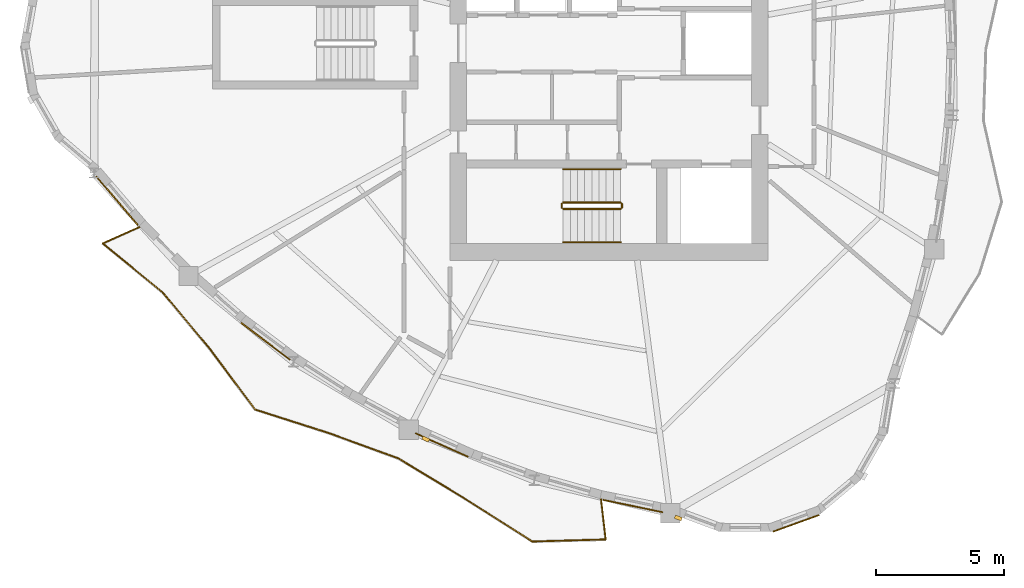
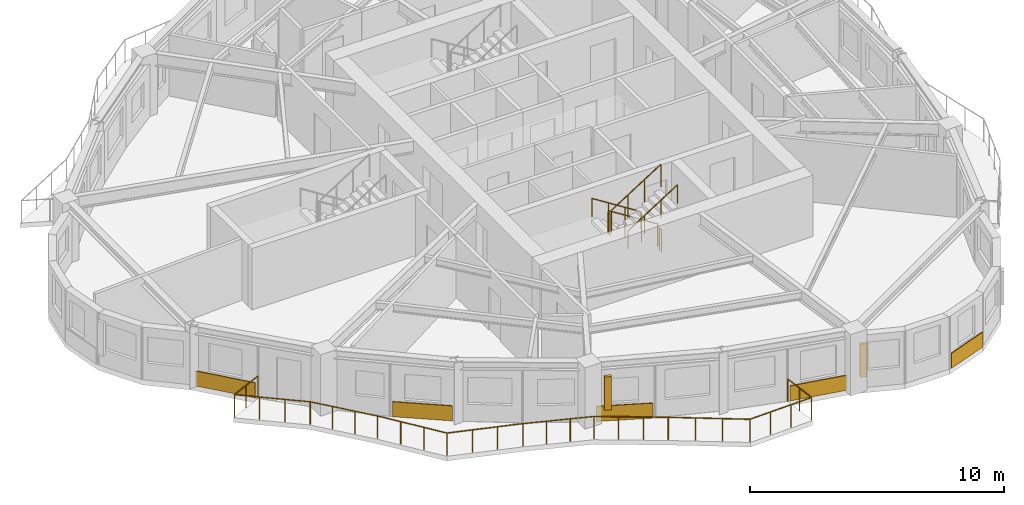
# One storey, part 9 of 12: 7 railings, 5 coverings, 2 shading devices.
"""IFC4 building model written with IfcOpenShell, lengths in metres."""

from ifc_helpers import new_model, si_unit, direction, frame, origin, origin_2d, place, context, subcontext, project, spatial, rectangle, circle, extrude, source, transform, mapped, material, layer, layer_set, type_object, element, save


model = new_model("IFC4")

# Units and contexts
model_context = context("Model", 3, precision=1e-05, world=origin(), true_north=direction((0.0, 1.0)))
body_context = subcontext(model_context, "Body", "Model", "MODEL_VIEW")
ifc_project = project(units=[si_unit("LENGTHUNIT", "METRE"), si_unit("AREAUNIT", "SQUARE_METRE"), si_unit("VOLUMEUNIT", "CUBIC_METRE"), si_unit("PLANEANGLEUNIT", "RADIAN"), si_unit("MASSUNIT", "GRAM", prefix="KILO")], contexts=[model_context])

# Site, building, storey
site_placement = place(None, origin())
site = spatial("IfcSite", under=ifc_project, at=site_placement, CompositionType="ELEMENT")
building_placement = place(site_placement, origin())
building = spatial("IfcBuilding", under=site, at=building_placement, Name="Qafzar Sky-Pleat Residences", CompositionType="ELEMENT")
storey_placement = place(building_placement, frame((0.0, 0.0, 181.0)))
storey = spatial("IfcBuildingStorey", under=building, at=storey_placement, Name="L54", CompositionType="ELEMENT", Elevation=181.0)

# Shading devices
ifc_material_1 = material(Name="Honed Riyadh limestone solar fin", Category="masonry")
ifc_layer_1 = layer(ifc_material_1, 0.139892578125)
ifc_layer_set_1 = layer_set([ifc_layer_1], Name="Honed Riyadh limestone solar fin")
shading_device_type = type_object("IfcShadingDeviceType", Name="SHD-FIN-STONE", PredefinedType="SHUTTER", material=ifc_layer_set_1)
shared_shape_1 = source(origin(), body_context, "Body", "SweptSolid", [
    extrude(rectangle(XDim=0.139892578125, YDim=0.280029296875, at=origin_2d()), origin(), (0.0, 0.0, 1.0), 1.60009765625),
])
for number, where, z_axis, x_axis, name in (
    (1, (23.208984375, 10.585693359375, 0.599853515625), (0.0, 0.0, 1.0), (-0.40756683729, -0.91317537918, 0.0), "L54 Limestone Solar Fin 13"),
    (2, (33.046630859375, 7.512451171875, 0.599853515625), (0.0, 0.0, 1.0), (-0.349602764616, -0.936898023785, 0.0), "L54 Limestone Solar Fin 17"),
):
    element("IfcShadingDevice", number, at=place(storey_placement, frame(where, z_axis=z_axis, x_axis=x_axis)), inside=storey, type_object=shading_device_type, Name=name, PredefinedType="SHUTTER", context=body_context, shape_type="MappedRepresentation", body=[
        mapped(shared_shape_1, transform((0.0, 0.0, 0.0), x_axis=(1.0, 0.0, 0.0), y_axis=(0.0, 1.0, 0.0), z_axis=(0.0, 0.0, 1.0), scale=1.0)),
    ])

# Covering
ifc_material_2 = material(Name="Honed Riyadh Tuwaiq limestone cladding", Category="masonry")
ifc_layer_2 = layer(ifc_material_2, 0.044921875)
ifc_layer_set_2 = layer_set([ifc_layer_2], Name="Honed Riyadh Tuwaiq limestone cladding")
covering_type = type_object("IfcCoveringType", Name="COV-CLAD-STONE", PredefinedType="CLADDING", material=ifc_layer_set_2)
shared_shape_2 = source(origin(), body_context, "Body", "SweptSolid", [
    extrude(rectangle(XDim=1.89794921875, YDim=0.044921875, at=origin_2d()), origin(), (0.0, 0.0, 1.0), 0.719970703125),
])
covering_1_placement = place(storey_placement, frame((37.634521484375, 7.30322265625, 0.02001953125), z_axis=(0.0, 0.0, 1.0), x_axis=(0.940231559433, 0.340535775867, 0.0)))
element("IfcCovering", 3, at=covering_1_placement, inside=storey, type_object=covering_type, Name="L54 Riyadh Limestone Spandrel Cladding 19", PredefinedType="CLADDING", context=body_context, shape_type="MappedRepresentation", body=[
    mapped(shared_shape_2, transform((0.0, 0.0, 0.0), x_axis=(1.0, 0.0, 0.0), y_axis=(0.0, 1.0, 0.0), z_axis=(0.0, 0.0, 1.0), scale=1.0)),
])

# Railing
ifc_material_3 = material(Name="Laminated glass and bronze steel balustrade", Category="steel")
railing_type_1 = type_object("IfcRailingType", Name="RAIL-BAL-1100", PredefinedType="BALUSTRADE", material=ifc_material_3)
shared_shape_3 = source(origin(), body_context, "Body", "SweptSolid", [
    extrude(circle(Radius=0.02392578125, at=origin_2d()), frame((0.0, 0.0, 1.076171875), z_axis=(-0.912389818341, -0.409322390527, 0.0), x_axis=(0.409322390527, -0.912389818341, 0.0)), (0.0, 0.0, 1.0), 1.578125),
    extrude(circle(Radius=0.02392578125, at=origin_2d()), frame((-1.43994140625, -0.64599609375, 1.076171875), z_axis=(0.774025555927, -0.633154356197, 0.0), x_axis=(0.633154356197, 0.774025555927, 0.0)), (0.0, 0.0, 1.0), 3.027587890625),
    extrude(circle(Radius=0.02392578125, at=origin_2d()), frame((0.903564453125, -2.56298828125, 1.076171875), z_axis=(0.640617922231, -0.767859803425, 0.0), x_axis=(0.767859803425, 0.640617922231, 0.0)), (0.0, 0.0, 1.0), 2.824462890625),
    extrude(circle(Radius=0.02392578125, at=origin_2d()), frame((2.712890625, -4.731689453125, 1.076171875), z_axis=(0.598725460263, -0.800954320316, 0.0), x_axis=(0.800954320316, 0.598725460263, 0.0)), (0.0, 0.0, 1.0), 2.974609375),
    extrude(circle(Radius=0.02392578125, at=origin_2d()), frame((4.493896484375, -7.1142578125, 1.076171875), z_axis=(0.952331377345, -0.305065481045, 0.0), x_axis=(0.305065481045, 0.952331377345, 0.0)), (0.0, 0.0, 1.0), 3.05712890625),
    extrude(circle(Radius=0.02392578125, at=origin_2d()), frame((7.4052734375, -8.046875, 1.076171875), z_axis=(0.939564713484, -0.342371361499, 0.0), x_axis=(0.342371361499, 0.939564713484, 0.0)), (0.0, 0.0, 1.0), 2.8388671875),
    extrude(circle(Radius=0.02392578125, at=origin_2d()), frame((10.072509765625, -9.018798828125, 1.076171875), z_axis=(0.856053996545, -0.516886404347, 0.0), x_axis=(0.516886404347, 0.856053996545, 0.0)), (0.0, 0.0, 1.0), 2.926025390625),
    extrude(circle(Radius=0.02392578125, at=origin_2d()), frame((12.577392578125, -10.53125, 1.076171875), z_axis=(0.84387400344, -0.536541392921, 0.0), x_axis=(0.536541392921, 0.84387400344, 0.0)), (0.0, 0.0, 1.0), 3.215576171875),
    extrude(circle(Radius=0.02392578125, at=origin_2d()), frame((15.291015625, -12.256591796875, 1.076171875), z_axis=(0.99959777978, 0.028359807117, 0.0), x_axis=(-0.028359807117, 0.99959777978, 0.0)), (0.0, 0.0, 1.0), 2.858154296875),
    extrude(circle(Radius=0.02392578125, at=origin_2d()), frame((18.14794921875, -12.175537109375, 1.076171875), z_axis=(-0.114030944588, 0.993477198368, 0.0), x_axis=(-0.993477198368, -0.114030944588, 0.0)), (0.0, 0.0, 1.0), 1.577880859375),
    extrude(circle(Radius=0.02099609375, at=origin_2d()), origin(), (0.0, 0.0, 1.0), 1.052001953125),
    extrude(circle(Radius=0.02099609375, at=origin_2d()), frame((-0.719970703125, -0.322998046875, 0.0)), (0.0, 0.0, 1.0), 1.052001953125),
    extrude(circle(Radius=0.02099609375, at=origin_2d()), frame((-1.43994140625, -0.64599609375, 0.0)), (0.0, 0.0, 1.0), 1.052001953125),
    extrude(circle(Radius=0.02099609375, at=origin_2d()), frame((-0.65869140625, -1.284912109375, 0.0)), (0.0, 0.0, 1.0), 1.052001953125),
    extrude(circle(Radius=0.02099609375, at=origin_2d()), frame((0.122314453125, -1.924072265625, 0.0)), (0.0, 0.0, 1.0), 1.052001953125),
    extrude(circle(Radius=0.02099609375, at=origin_2d()), frame((0.903564453125, -2.56298828125, 0.0)), (0.0, 0.0, 1.0), 1.052001953125),
    extrude(circle(Radius=0.02099609375, at=origin_2d()), frame((1.506591796875, -3.285888671875, 0.0)), (0.0, 0.0, 1.0), 1.052001953125),
    extrude(circle(Radius=0.02099609375, at=origin_2d()), frame((2.10986328125, -4.0087890625, 0.0)), (0.0, 0.0, 1.0), 1.052001953125),
    extrude(circle(Radius=0.02099609375, at=origin_2d()), frame((2.712890625, -4.731689453125, 0.0)), (0.0, 0.0, 1.0), 1.052001953125),
    extrude(circle(Radius=0.02099609375, at=origin_2d()), frame((3.306640625, -5.52587890625, 0.0)), (0.0, 0.0, 1.0), 1.052001953125),
    extrude(circle(Radius=0.02099609375, at=origin_2d()), frame((3.900146484375, -6.320068359375, 0.0)), (0.0, 0.0, 1.0), 1.052001953125),
    extrude(circle(Radius=0.02099609375, at=origin_2d()), frame((4.493896484375, -7.1142578125, 0.0)), (0.0, 0.0, 1.0), 1.052001953125),
    extrude(circle(Radius=0.02099609375, at=origin_2d()), frame((5.46435546875, -7.425048828125, 0.0)), (0.0, 0.0, 1.0), 1.052001953125),
    extrude(circle(Radius=0.02099609375, at=origin_2d()), frame((6.434814453125, -7.736083984375, 0.0)), (0.0, 0.0, 1.0), 1.052001953125),
    extrude(circle(Radius=0.02099609375, at=origin_2d()), frame((7.4052734375, -8.046875, 0.0)), (0.0, 0.0, 1.0), 1.052001953125),
    extrude(circle(Radius=0.02099609375, at=origin_2d()), frame((8.29443359375, -8.370849609375, 0.0)), (0.0, 0.0, 1.0), 1.052001953125),
    extrude(circle(Radius=0.02099609375, at=origin_2d()), frame((9.183349609375, -8.69482421875, 0.0)), (0.0, 0.0, 1.0), 1.052001953125),
    extrude(circle(Radius=0.02099609375, at=origin_2d()), frame((10.072509765625, -9.018798828125, 0.0)), (0.0, 0.0, 1.0), 1.052001953125),
    extrude(circle(Radius=0.02099609375, at=origin_2d()), frame((10.907470703125, -9.52294921875, 0.0)), (0.0, 0.0, 1.0), 1.052001953125),
    extrude(circle(Radius=0.02099609375, at=origin_2d()), frame((11.742431640625, -10.027099609375, 0.0)), (0.0, 0.0, 1.0), 1.052001953125),
    extrude(circle(Radius=0.02099609375, at=origin_2d()), frame((12.577392578125, -10.53125, 0.0)), (0.0, 0.0, 1.0), 1.052001953125),
    extrude(circle(Radius=0.02099609375, at=origin_2d()), frame((13.48193359375, -11.1064453125, 0.0)), (0.0, 0.0, 1.0), 1.052001953125),
    extrude(circle(Radius=0.02099609375, at=origin_2d()), frame((14.386474609375, -11.681396484375, 0.0)), (0.0, 0.0, 1.0), 1.052001953125),
    extrude(circle(Radius=0.02099609375, at=origin_2d()), frame((15.291015625, -12.256591796875, 0.0)), (0.0, 0.0, 1.0), 1.052001953125),
    extrude(circle(Radius=0.02099609375, at=origin_2d()), frame((16.243408203125, -12.2294921875, 0.0)), (0.0, 0.0, 1.0), 1.052001953125),
    extrude(circle(Radius=0.02099609375, at=origin_2d()), frame((17.195556640625, -12.20263671875, 0.0)), (0.0, 0.0, 1.0), 1.052001953125),
    extrude(circle(Radius=0.02099609375, at=origin_2d()), frame((18.14794921875, -12.175537109375, 0.0)), (0.0, 0.0, 1.0), 1.052001953125),
    extrude(circle(Radius=0.02099609375, at=origin_2d()), frame((18.05810546875, -11.3916015625, 0.0)), (0.0, 0.0, 1.0), 1.052001953125),
    extrude(circle(Radius=0.02099609375, at=origin_2d()), frame((17.968017578125, -10.60791015625, 0.0)), (0.0, 0.0, 1.0), 1.052001953125),
])
railing_1_placement = place(storey_placement, frame((12.06982421875, 18.851806640625, 0.0)))
element("IfcRailing", 4, at=railing_1_placement, inside=storey, type_object=railing_type_1, Name="L54 Pleated Balcony 3 Balustrade", PredefinedType="BALUSTRADE", context=body_context, shape_type="MappedRepresentation", body=[
    mapped(shared_shape_3, transform((0.0, 0.0, 0.0), x_axis=(1.0, 0.0, 0.0), y_axis=(0.0, 1.0, 0.0), z_axis=(0.0, 0.0, 1.0), scale=1.0)),
])

# Coverings
shared_shape_4 = source(origin(), body_context, "Body", "SweptSolid", [
    extrude(rectangle(XDim=2.49560546875, YDim=0.044921875, at=origin_2d()), origin(), (0.0, 0.0, 1.0), 0.719970703125),
])
covering_2_placement = place(storey_placement, frame((11.187255859375, 19.866943359375, 0.02001953125), z_axis=(0.0, 0.0, 1.0), x_axis=(0.650274414602, -0.75969940484, 0.0)))
element("IfcCovering", 5, at=covering_2_placement, inside=storey, type_object=covering_type, Name="L54 Riyadh Limestone Spandrel Cladding 7", PredefinedType="CLADDING", context=body_context, shape_type="MappedRepresentation", body=[
    mapped(shared_shape_4, transform((0.0, 0.0, 0.0), x_axis=(1.0, 0.0, 0.0), y_axis=(0.0, 1.0, 0.0), z_axis=(0.0, 0.0, 1.0), scale=1.0)),
])
shared_shape_5 = source(origin(), body_context, "Body", "SweptSolid", [
    extrude(rectangle(XDim=2.377197265625, YDim=0.044921875, at=origin_2d()), origin(), (0.0, 0.0, 1.0), 0.719970703125),
])
covering_3_placement = place(storey_placement, frame((16.9755859375, 14.392578125, 0.02001953125), z_axis=(0.0, 0.0, 1.0), x_axis=(0.797987489772, -0.602674013184, 0.0)))
element("IfcCovering", 6, at=covering_3_placement, inside=storey, type_object=covering_type, Name="L54 Riyadh Limestone Spandrel Cladding 10", PredefinedType="CLADDING", context=body_context, shape_type="MappedRepresentation", body=[
    mapped(shared_shape_5, transform((0.0, 0.0, 0.0), x_axis=(1.0, 0.0, 0.0), y_axis=(0.0, 1.0, 0.0), z_axis=(0.0, 0.0, 1.0), scale=1.0)),
])
shared_shape_6 = source(origin(), body_context, "Body", "SweptSolid", [
    extrude(rectangle(XDim=2.24658203125, YDim=0.044921875, at=origin_2d()), origin(), (0.0, 0.0, 1.0), 0.719970703125),
])
covering_4_placement = place(storey_placement, frame((23.8291015625, 10.35595703125, 0.02001953125), z_axis=(0.0, 0.0, 1.0), x_axis=(0.913164507785, -0.407591194363, 0.0)))
element("IfcCovering", 7, at=covering_4_placement, inside=storey, type_object=covering_type, Name="L54 Riyadh Limestone Spandrel Cladding 13", PredefinedType="CLADDING", context=body_context, shape_type="MappedRepresentation", body=[
    mapped(shared_shape_6, transform((0.0, 0.0, 0.0), x_axis=(1.0, 0.0, 0.0), y_axis=(0.0, 1.0, 0.0), z_axis=(0.0, 0.0, 1.0), scale=1.0)),
])
shared_shape_7 = source(origin(), body_context, "Body", "SweptSolid", [
    extrude(rectangle(XDim=2.36474609375, YDim=0.044921875, at=origin_2d()), origin(), (0.0, 0.0, 1.0), 0.719970703125),
])
covering_5_placement = place(storey_placement, frame((31.281494140625, 7.976318359375, 0.02001953125), z_axis=(0.0, 0.0, 1.0), x_axis=(0.979304659548, -0.202391659384, 0.0)))
element("IfcCovering", 8, at=covering_5_placement, inside=storey, type_object=covering_type, Name="L54 Riyadh Limestone Spandrel Cladding 16", PredefinedType="CLADDING", context=body_context, shape_type="MappedRepresentation", body=[
    mapped(shared_shape_7, transform((0.0, 0.0, 0.0), x_axis=(1.0, 0.0, 0.0), y_axis=(0.0, 1.0, 0.0), z_axis=(0.0, 0.0, 1.0), scale=1.0)),
])

# Railings
ifc_material_4 = material(Name="Painted Steel S355 stair guardrail", Category="steel")
railing_type_2 = type_object("IfcRailingType", Name="RAIL-STAIR-GUARD", PredefinedType="GUARDRAIL", material=ifc_material_4)
shared_shape_8 = source(origin(), body_context, "Body", "SweptSolid", [
    extrude(circle(Radius=0.02392578125, at=origin_2d()), frame((0.0, 0.0, 1.076171875), z_axis=(0.0, -1.0, 0.0), x_axis=(1.0, 0.0, 0.0)), (0.0, 0.0, 1.0), 0.14990234375),
    extrude(circle(Radius=0.02099609375, at=origin_2d()), origin(), (0.0, 0.0, 1.0), 1.052001953125),
    extrude(circle(Radius=0.02099609375, at=origin_2d()), frame((0.0, -0.14990234375, 0.0)), (0.0, 0.0, 1.0), 1.052001953125),
])
for number, where, name in (
    (9, (28.510009765625, 19.75, 1.60009765625), "L54 ST1 stair guard 2"),
    (10, (30.85009765625, 19.75, 0.0), "L54 ST1 stair guard 4"),
):
    element("IfcRailing", number, at=place(storey_placement, frame(where)), inside=storey, type_object=railing_type_2, Name=name, PredefinedType="GUARDRAIL", context=body_context, shape_type="MappedRepresentation", body=[
        mapped(shared_shape_8, transform((0.0, 0.0, 0.0), x_axis=(1.0, 0.0, 0.0), y_axis=(0.0, 1.0, 0.0), z_axis=(0.0, 0.0, 1.0), scale=1.0)),
    ])
shared_shape_9 = source(origin(), body_context, "Body", "SweptSolid", [
    extrude(circle(Radius=0.02392578125, at=origin_2d()), frame((0.0, 0.0, 1.076171875), z_axis=(0.8442293374, 0.0, 0.53598211339), x_axis=(0.0, 1.0, 0.0)), (0.0, 0.0, 1.0), 2.6533203125),
    extrude(circle(Radius=0.02099609375, at=origin_2d()), origin(), (0.0, 0.0, 1.0), 1.052001953125),
    extrude(circle(Radius=0.02099609375, at=origin_2d()), frame((0.74658203125, 0.0, 0.47412109375)), (0.0, 0.0, 1.0), 1.052001953125),
    extrude(circle(Radius=0.02099609375, at=origin_2d()), frame((1.493408203125, 0.0, 0.947998046875)), (0.0, 0.0, 1.0), 1.052001953125),
    extrude(circle(Radius=0.02099609375, at=origin_2d()), frame((2.239990234375, 0.0, 1.422119140625)), (0.0, 0.0, 1.0), 1.052001953125),
])
railing_2_placement = place(storey_placement, frame((28.56005859375, 19.550048828125, 1.77783203125)))
element("IfcRailing", 11, at=railing_2_placement, inside=storey, type_object=railing_type_2, Name="L54 ST1 stair guard 3", PredefinedType="GUARDRAIL", context=body_context, shape_type="MappedRepresentation", body=[
    mapped(shared_shape_9, transform((0.0, 0.0, 0.0), x_axis=(1.0, 0.0, 0.0), y_axis=(0.0, 1.0, 0.0), z_axis=(0.0, 0.0, 1.0), scale=1.0)),
])
ifc_material_5 = material(Name="Brushed stainless steel handrail", Category="steel")
railing_type_3 = type_object("IfcRailingType", Name="RAIL-STAIR-HAND", PredefinedType="HANDRAIL", material=ifc_material_5)
shared_shape_10 = source(origin(), body_context, "Body", "SweptSolid", [
    extrude(circle(Radius=0.02392578125, at=origin_2d()), frame((0.0, 0.0, 0.8759765625), z_axis=(0.8442293374, 0.0, 0.53598211339), x_axis=(0.0, 1.0, 0.0)), (0.0, 0.0, 1.0), 2.6533203125),
    extrude(circle(Radius=0.02099609375, at=origin_2d()), origin(), (0.0, 0.0, 1.0), 0.851806640625),
    extrude(circle(Radius=0.02099609375, at=origin_2d()), frame((0.74658203125, 0.0, 0.47412109375)), (0.0, 0.0, 1.0), 0.851806640625),
    extrude(circle(Radius=0.02099609375, at=origin_2d()), frame((1.493408203125, 0.0, 0.947998046875)), (0.0, 0.0, 1.0), 0.851806640625),
    extrude(circle(Radius=0.02099609375, at=origin_2d()), frame((2.239990234375, 0.0, 1.422119140625)), (0.0, 0.0, 1.0), 0.851806640625),
])
railing_3_placement = place(storey_placement, frame((28.56005859375, 18.25, 1.77783203125)))
element("IfcRailing", 12, at=railing_3_placement, inside=storey, type_object=railing_type_3, Name="L54 ST1 stair handrail 2", PredefinedType="HANDRAIL", context=body_context, shape_type="MappedRepresentation", body=[
    mapped(shared_shape_10, transform((0.0, 0.0, 0.0), x_axis=(1.0, 0.0, 0.0), y_axis=(0.0, 1.0, 0.0), z_axis=(0.0, 0.0, 1.0), scale=1.0)),
])
shared_shape_11 = source(origin(), body_context, "Body", "SweptSolid", [
    extrude(circle(Radius=0.02392578125, at=origin_2d()), frame((0.0, 0.0, 1.076171875), z_axis=(-0.84418770128, 0.0, 0.536047689118), x_axis=(0.0, -1.0, 0.0)), (0.0, 0.0, 1.0), 2.6533203125),
    extrude(circle(Radius=0.02099609375, at=origin_2d()), origin(), (0.0, 0.0, 1.0), 1.052001953125),
    extrude(circle(Radius=0.02099609375, at=origin_2d()), frame((-0.74658203125, 0.0, 0.47412109375)), (0.0, 0.0, 1.0), 1.052001953125),
    extrude(circle(Radius=0.02099609375, at=origin_2d()), frame((-1.493408203125, 0.0, 0.9482421875)), (0.0, 0.0, 1.0), 1.052001953125),
    extrude(circle(Radius=0.02099609375, at=origin_2d()), frame((-2.239990234375, 0.0, 1.42236328125)), (0.0, 0.0, 1.0), 1.052001953125),
])
railing_4_placement = place(storey_placement, frame((30.800048828125, 19.800048828125, 0.177734375)))
element("IfcRailing", 13, at=railing_4_placement, inside=storey, type_object=railing_type_2, Name="L54 ST1 stair guard 1", PredefinedType="GUARDRAIL", context=body_context, shape_type="MappedRepresentation", body=[
    mapped(shared_shape_11, transform((0.0, 0.0, 0.0), x_axis=(1.0, 0.0, 0.0), y_axis=(0.0, 1.0, 0.0), z_axis=(0.0, 0.0, 1.0), scale=1.0)),
])
shared_shape_12 = source(origin(), body_context, "Body", "SweptSolid", [
    extrude(circle(Radius=0.02392578125, at=origin_2d()), frame((0.0, 0.0, 0.8759765625), z_axis=(-0.84418770128, 0.0, 0.536047689118), x_axis=(0.0, -1.0, 0.0)), (0.0, 0.0, 1.0), 2.6533203125),
    extrude(circle(Radius=0.02099609375, at=origin_2d()), origin(), (0.0, 0.0, 1.0), 0.851806640625),
    extrude(circle(Radius=0.02099609375, at=origin_2d()), frame((-0.74658203125, 0.0, 0.47412109375)), (0.0, 0.0, 1.0), 0.851806640625),
    extrude(circle(Radius=0.02099609375, at=origin_2d()), frame((-1.493408203125, 0.0, 0.9482421875)), (0.0, 0.0, 1.0), 0.851806640625),
    extrude(circle(Radius=0.02099609375, at=origin_2d()), frame((-2.239990234375, 0.0, 1.42236328125)), (0.0, 0.0, 1.0), 0.851806640625),
])
railing_5_placement = place(storey_placement, frame((30.800048828125, 21.10009765625, 0.177734375)))
element("IfcRailing", 14, at=railing_5_placement, inside=storey, type_object=railing_type_3, Name="L54 ST1 stair handrail 1", PredefinedType="HANDRAIL", context=body_context, shape_type="MappedRepresentation", body=[
    mapped(shared_shape_12, transform((0.0, 0.0, 0.0), x_axis=(1.0, 0.0, 0.0), y_axis=(0.0, 1.0, 0.0), z_axis=(0.0, 0.0, 1.0), scale=1.0)),
])

save(model, "model.ifc")
